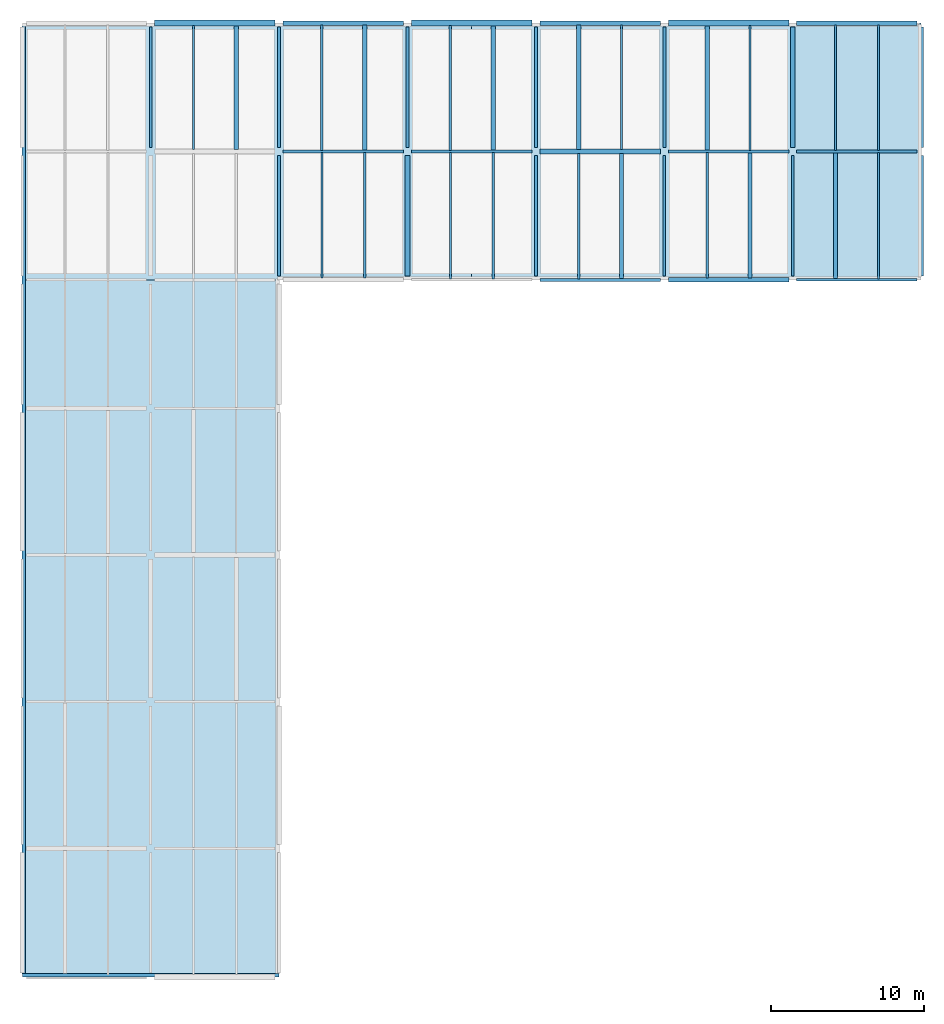
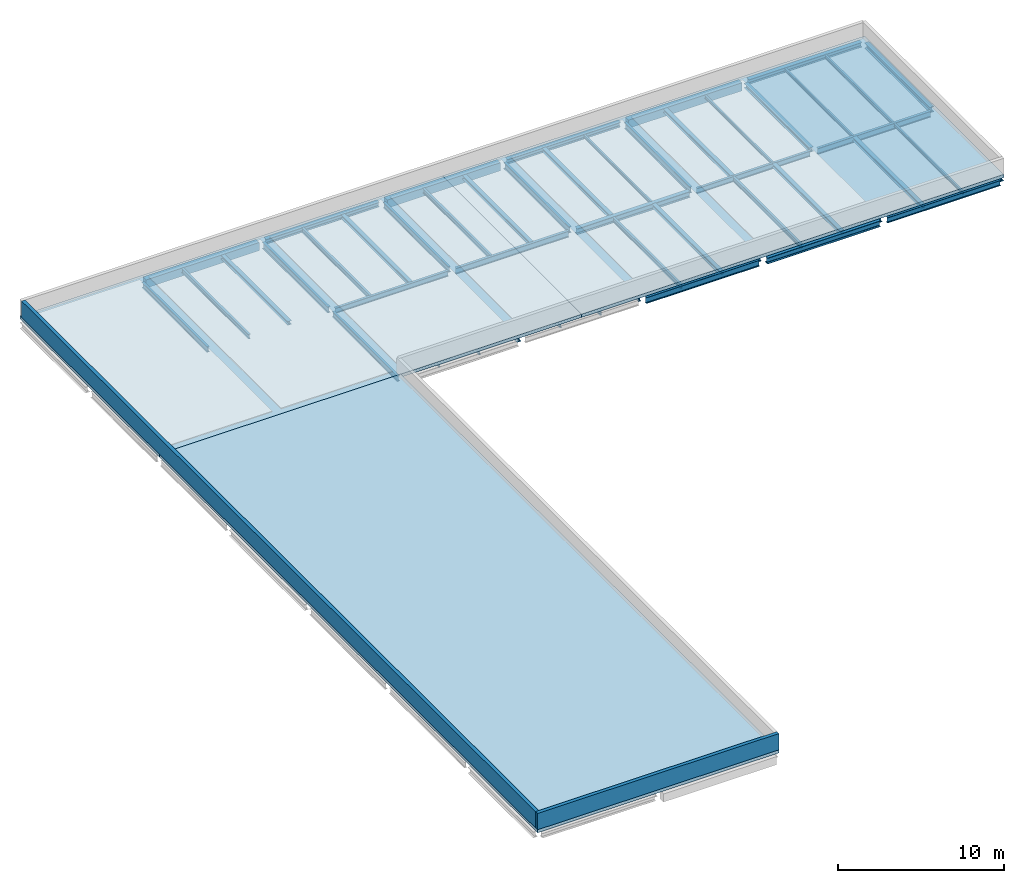
# One storey, part 2 of 3: 49 beams, 3 slabs, 2 walls.
"""IFC4 building model written with IfcOpenShell, lengths in metres."""

from ifc_helpers import new_model, si_unit, direction, frame, frame_2d, origin, origin_2d, place, context, subcontext, project, spatial, polyline, rectangle, i_section, outline, extrude, material, layer, layer_set, material_profile, profile_set, type_object, element, save


model = new_model("IFC4")

# Units and contexts
model_context = context("Model", 3, precision=1e-05, world=origin(), true_north=direction((0.0, 1.0)))
body_context = subcontext(model_context, "Body", "Model", "MODEL_VIEW")
ifc_project = project(units=[si_unit("LENGTHUNIT", "METRE"), si_unit("AREAUNIT", "SQUARE_METRE"), si_unit("VOLUMEUNIT", "CUBIC_METRE"), si_unit("PLANEANGLEUNIT", "RADIAN"), si_unit("MASSUNIT", "GRAM", prefix="KILO")], contexts=[model_context])

# Site, building, storey
site_placement = place(None, origin())
site = spatial("IfcSite", under=ifc_project, at=site_placement, CompositionType="ELEMENT")
building_placement = place(site_placement, origin())
building = spatial("IfcBuilding", under=site, at=building_placement, Name="Zulmaris Art Gallery", CompositionType="ELEMENT")
storey_placement = place(building_placement, frame((0.0, 0.0, 30.89990234375)))
storey = spatial("IfcBuildingStorey", under=building, at=storey_placement, Name="RF", CompositionType="ELEMENT", Elevation=30.89990234375)

# Beams
ifc_material_1 = material(Name="Steel S355J2", Category="steel")
ifc_material_profile_1 = material_profile(ifc_material_1, i_section(OverallWidth=0.179931640625, OverallDepth=0.39990234375, WebThickness=0.008544921875, FlangeThickness=0.013427734375, FilletRadius=0.02099609375, at=origin_2d()), Name="IPE 400")
ifc_profile_set_1 = profile_set([ifc_material_profile_1], Name="Steel S355J2")
beam_type_1 = type_object("IfcBeamType", Name="BEAM-BM03", PredefinedType="BEAM", material=ifc_profile_set_1)
beam_1_placement = place(storey_placement, frame((192.260009765625, 58.800048828125, -0.489990234375), z_axis=(1.0, 0.0, 0.0), x_axis=(0.0, 1.0, 0.0)))
element("IfcBeam", 1, at=beam_1_placement, inside=storey, type_object=beam_type_1, Name="RF X-girder (192.0..200.4, y=58.8)", PredefinedType="BEAM", context=body_context, shape_type="SweptSolid", body=[
    extrude(i_section(OverallWidth=0.179931640625, OverallDepth=0.39990234375, WebThickness=0.008544921875, FlangeThickness=0.013427734375, FilletRadius=0.02099609375, at=origin_2d()), origin(), (0.0, 0.0, 1.0), 7.8798828125),
])
beam_2_placement = place(storey_placement, frame((158.659912109375, 67.199951171875, -0.489990234375), z_axis=(1.0, 0.0, 0.0), x_axis=(0.0, 1.0, 0.0)))
element("IfcBeam", 2, at=beam_2_placement, inside=storey, type_object=beam_type_1, Name="RF X-girder (158.4..166.8, y=67.2)", PredefinedType="BEAM", context=body_context, shape_type="SweptSolid", body=[
    extrude(i_section(OverallWidth=0.179931640625, OverallDepth=0.39990234375, WebThickness=0.008544921875, FlangeThickness=0.013427734375, FilletRadius=0.02099609375, at=origin_2d()), origin(), (0.0, 0.0, 1.0), 7.880126953125),
])
beam_3_placement = place(storey_placement, frame((183.860107421875, 67.199951171875, -0.489990234375), z_axis=(1.0, 0.0, 0.0), x_axis=(0.0, 1.0, 0.0)))
element("IfcBeam", 3, at=beam_3_placement, inside=storey, type_object=beam_type_1, Name="RF X-girder (183.6..192.0, y=67.2)", PredefinedType="BEAM", context=body_context, shape_type="SweptSolid", body=[
    extrude(i_section(OverallWidth=0.179931640625, OverallDepth=0.39990234375, WebThickness=0.008544921875, FlangeThickness=0.013427734375, FilletRadius=0.02099609375, at=origin_2d()), origin(), (0.0, 0.0, 1.0), 7.8798828125),
])
beam_4_placement = place(storey_placement, frame((150.0, 67.4599609375, -0.489990234375), z_axis=(0.0, 1.0, 0.0), x_axis=(-1.0, 0.0, 0.0)))
element("IfcBeam", 4, at=beam_4_placement, inside=storey, type_object=beam_type_1, Name="RF Y-girder (x=150.0, 67.2..75.6)", PredefinedType="BEAM", context=body_context, shape_type="SweptSolid", body=[
    extrude(i_section(OverallWidth=0.179931640625, OverallDepth=0.39990234375, WebThickness=0.008544921875, FlangeThickness=0.013427734375, FilletRadius=0.02099609375, at=origin_2d()), origin(), (0.0, 0.0, 1.0), 7.880126953125),
])
beam_5_placement = place(storey_placement, frame((158.39990234375, 59.06005859375, -0.489990234375), z_axis=(0.0, 1.0, 0.0), x_axis=(-1.0, 0.0, 0.0)))
element("IfcBeam", 5, at=beam_5_placement, inside=storey, type_object=beam_type_1, Name="RF Y-girder (x=158.4, 58.8..67.2)", PredefinedType="BEAM", context=body_context, shape_type="SweptSolid", body=[
    extrude(i_section(OverallWidth=0.179931640625, OverallDepth=0.39990234375, WebThickness=0.008544921875, FlangeThickness=0.013427734375, FilletRadius=0.02099609375, at=origin_2d()), origin(), (0.0, 0.0, 1.0), 7.8798828125),
])
beam_6_placement = place(storey_placement, frame((166.800048828125, 67.4599609375, -0.489990234375), z_axis=(0.0, 1.0, 0.0), x_axis=(-1.0, 0.0, 0.0)))
element("IfcBeam", 6, at=beam_6_placement, inside=storey, type_object=beam_type_1, Name="RF Y-girder (x=166.8, 67.2..75.6)", PredefinedType="BEAM", context=body_context, shape_type="SweptSolid", body=[
    extrude(i_section(OverallWidth=0.179931640625, OverallDepth=0.39990234375, WebThickness=0.008544921875, FlangeThickness=0.013427734375, FilletRadius=0.02099609375, at=origin_2d()), origin(), (0.0, 0.0, 1.0), 7.880126953125),
])
for number, where, z_axis, x_axis, name in (
    (7, (175.199951171875, 59.06005859375, -0.489990234375), (0.0, 1.0, 0.0), (-1.0, 0.0, 0.0), "RF Y-girder (x=175.2, 58.8..67.2)"),
    (8, (183.60009765625, 59.06005859375, -0.489990234375), (0.0, 1.0, 0.0), (-1.0, 0.0, 0.0), "RF Y-girder (x=183.6, 58.8..67.2)"),
):
    element("IfcBeam", number, at=place(storey_placement, frame(where, z_axis=z_axis, x_axis=x_axis)), inside=storey, type_object=beam_type_1, Name=name, PredefinedType="BEAM", context=body_context, shape_type="SweptSolid", body=[
        extrude(i_section(OverallWidth=0.179931640625, OverallDepth=0.39990234375, WebThickness=0.008544921875, FlangeThickness=0.013427734375, FilletRadius=0.02099609375, at=origin_2d()), origin(), (0.0, 0.0, 1.0), 7.8798828125),
    ])
ifc_material_profile_2 = material_profile(ifc_material_1, i_section(OverallWidth=0.18994140625, OverallDepth=0.449951171875, WebThickness=0.009521484375, FlangeThickness=0.0146484375, FilletRadius=0.02099609375, at=origin_2d()), Name="IPE 450")
ifc_profile_set_2 = profile_set([ifc_material_profile_2], Name="Steel S355J2")
beam_type_2 = type_object("IfcBeamType", Name="BEAM-BM04", PredefinedType="BEAM", material=ifc_profile_set_2)
beam_7_placement = place(storey_placement, frame((175.4599609375, 58.800048828125, -0.514892578125), z_axis=(1.0, 0.0, 0.0), x_axis=(0.0, 1.0, 0.0)))
element("IfcBeam", 9, at=beam_7_placement, inside=storey, type_object=beam_type_2, Name="RF X-girder (175.2..183.6, y=58.8)", PredefinedType="BEAM", context=body_context, shape_type="SweptSolid", body=[
    extrude(i_section(OverallWidth=0.18994140625, OverallDepth=0.449951171875, WebThickness=0.009521484375, FlangeThickness=0.0146484375, FilletRadius=0.02099609375, at=origin_2d()), origin(), (0.0, 0.0, 1.0), 7.880126953125),
])
for number, where, z_axis, x_axis, name in (
    (10, (167.06005859375, 67.199951171875, -0.514892578125), (1.0, 0.0, 0.0), (0.0, 1.0, 0.0), "RF X-girder (166.8..175.2, y=67.2)"),
    (11, (192.260009765625, 67.199951171875, -0.514892578125), (1.0, 0.0, 0.0), (0.0, 1.0, 0.0), "RF X-girder (192.0..200.4, y=67.2)"),
):
    element("IfcBeam", number, at=place(storey_placement, frame(where, z_axis=z_axis, x_axis=x_axis)), inside=storey, type_object=beam_type_2, Name=name, PredefinedType="BEAM", context=body_context, shape_type="SweptSolid", body=[
        extrude(i_section(OverallWidth=0.18994140625, OverallDepth=0.449951171875, WebThickness=0.009521484375, FlangeThickness=0.0146484375, FilletRadius=0.02099609375, at=origin_2d()), origin(), (0.0, 0.0, 1.0), 7.8798828125),
    ])
for number, where, z_axis, x_axis, name in (
    (12, (158.39990234375, 67.4599609375, -0.514892578125), (0.0, 1.0, 0.0), (-1.0, 0.0, 0.0), "RF Y-girder (x=158.4, 67.2..75.6)"),
    (13, (175.199951171875, 67.4599609375, -0.514892578125), (0.0, 1.0, 0.0), (-1.0, 0.0, 0.0), "RF Y-girder (x=175.2, 67.2..75.6)"),
    (14, (183.60009765625, 67.4599609375, -0.514892578125), (0.0, 1.0, 0.0), (-1.0, 0.0, 0.0), "RF Y-girder (x=183.6, 67.2..75.6)"),
):
    element("IfcBeam", number, at=place(storey_placement, frame(where, z_axis=z_axis, x_axis=x_axis)), inside=storey, type_object=beam_type_2, Name=name, PredefinedType="BEAM", context=body_context, shape_type="SweptSolid", body=[
        extrude(i_section(OverallWidth=0.18994140625, OverallDepth=0.449951171875, WebThickness=0.009521484375, FlangeThickness=0.0146484375, FilletRadius=0.02099609375, at=origin_2d()), origin(), (0.0, 0.0, 1.0), 7.880126953125),
    ])
beam_8_placement = place(storey_placement, frame((192.0, 59.06005859375, -0.514892578125), z_axis=(0.0, 1.0, 0.0), x_axis=(-1.0, 0.0, 0.0)))
element("IfcBeam", 15, at=beam_8_placement, inside=storey, type_object=beam_type_2, Name="RF Y-girder (x=192.0, 58.8..67.2)", PredefinedType="BEAM", context=body_context, shape_type="SweptSolid", body=[
    extrude(i_section(OverallWidth=0.18994140625, OverallDepth=0.449951171875, WebThickness=0.009521484375, FlangeThickness=0.0146484375, FilletRadius=0.02099609375, at=origin_2d()), origin(), (0.0, 0.0, 1.0), 7.8798828125),
])
ifc_material_profile_3 = material_profile(ifc_material_1, i_section(OverallWidth=0.300048828125, OverallDepth=0.330078125, WebThickness=0.009521484375, FlangeThickness=0.0166015625, FilletRadius=0.027099609375, at=origin_2d()), Name="HEA 340")
ifc_profile_set_3 = profile_set([ifc_material_profile_3], Name="Steel S355J2")
beam_type_3 = type_object("IfcBeamType", Name="BEAM-BM08", PredefinedType="BEAM", material=ifc_profile_set_3)
beam_9_placement = place(storey_placement, frame((192.0, 67.4599609375, -0.489990234375), z_axis=(0.0, 1.0, 0.0), x_axis=(-1.0, 0.0, 0.0)))
element("IfcBeam", 16, at=beam_9_placement, inside=storey, type_object=beam_type_3, Name="RF Y-girder (x=192.0, 67.2..75.6)", PredefinedType="BEAM", context=body_context, shape_type="SweptSolid", body=[
    extrude(i_section(OverallWidth=0.300048828125, OverallDepth=0.330078125, WebThickness=0.009521484375, FlangeThickness=0.0166015625, FilletRadius=0.027099609375, at=origin_2d()), origin(), (0.0, 0.0, 1.0), 7.880126953125),
])
ifc_material_profile_4 = material_profile(ifc_material_1, i_section(OverallWidth=0.300048828125, OverallDepth=0.43994140625, WebThickness=0.011474609375, FlangeThickness=0.02099609375, FilletRadius=0.027099609375, at=origin_2d()), Name="HEA 450")
ifc_profile_set_4 = profile_set([ifc_material_profile_4], Name="Steel S355J2")
beam_type_4 = type_object("IfcBeamType", Name="BEAM-BM10", PredefinedType="BEAM", material=ifc_profile_set_4)
beam_10_placement = place(storey_placement, frame((183.860107421875, 58.800048828125, -0.510009765625), z_axis=(1.0, 0.0, 0.0), x_axis=(0.0, 1.0, 0.0)))
element("IfcBeam", 17, at=beam_10_placement, inside=storey, type_object=beam_type_4, Name="RF X-girder (183.6..192.0, y=58.8)", PredefinedType="BEAM", context=body_context, shape_type="SweptSolid", body=[
    extrude(i_section(OverallWidth=0.300048828125, OverallDepth=0.43994140625, WebThickness=0.011474609375, FlangeThickness=0.02099609375, FilletRadius=0.027099609375, at=origin_2d()), origin(), (0.0, 0.0, 1.0), 7.8798828125),
])
beam_11_placement = place(storey_placement, frame((175.4599609375, 67.199951171875, -0.510009765625), z_axis=(1.0, 0.0, 0.0), x_axis=(0.0, 1.0, 0.0)))
element("IfcBeam", 18, at=beam_11_placement, inside=storey, type_object=beam_type_4, Name="RF X-girder (175.2..183.6, y=67.2)", PredefinedType="BEAM", context=body_context, shape_type="SweptSolid", body=[
    extrude(i_section(OverallWidth=0.300048828125, OverallDepth=0.43994140625, WebThickness=0.011474609375, FlangeThickness=0.02099609375, FilletRadius=0.027099609375, at=origin_2d()), origin(), (0.0, 0.0, 1.0), 7.880126953125),
])
beam_12_placement = place(storey_placement, frame((166.800048828125, 59.06005859375, -0.510009765625), z_axis=(0.0, 1.0, 0.0), x_axis=(-1.0, 0.0, 0.0)))
element("IfcBeam", 19, at=beam_12_placement, inside=storey, type_object=beam_type_4, Name="RF Y-girder (x=166.8, 58.8..67.2)", PredefinedType="BEAM", context=body_context, shape_type="SweptSolid", body=[
    extrude(i_section(OverallWidth=0.300048828125, OverallDepth=0.43994140625, WebThickness=0.011474609375, FlangeThickness=0.02099609375, FilletRadius=0.027099609375, at=origin_2d()), origin(), (0.0, 0.0, 1.0), 7.8798828125),
])
ifc_material_profile_5 = material_profile(ifc_material_1, i_section(OverallWidth=0.1201171875, OverallDepth=0.239990234375, WebThickness=0.006103515625, FlangeThickness=0.009765625, FilletRadius=0.014892578125, at=origin_2d()), Name="IPE 240")
ifc_profile_set_5 = profile_set([ifc_material_profile_5], Name="Steel S355J2")
beam_type_5 = type_object("IfcBeamType", Name="BEAM-JS01", PredefinedType="JOIST", material=ifc_profile_set_5)
beam_13_placement = place(storey_placement, frame((180.800048828125, 67.324951171875, -0.409912109375), z_axis=(0.0, 1.0, 0.0), x_axis=(-1.0, 0.0, 0.0)))
element("IfcBeam", 20, at=beam_13_placement, inside=storey, type_object=beam_type_5, Name="RF secondary joist at x=180.8", PredefinedType="JOIST", context=body_context, shape_type="SweptSolid", body=[
    extrude(i_section(OverallWidth=0.1201171875, OverallDepth=0.239990234375, WebThickness=0.006103515625, FlangeThickness=0.009765625, FilletRadius=0.014892578125, at=origin_2d()), origin(), (0.0, 0.0, 1.0), 8.150146484375),
])
beam_14_placement = place(storey_placement, frame((189.199951171875, 67.264892578125, -0.409912109375), z_axis=(0.0, 1.0, 0.0), x_axis=(-1.0, 0.0, 0.0)))
element("IfcBeam", 21, at=beam_14_placement, inside=storey, type_object=beam_type_5, Name="RF secondary joist at x=189.2", PredefinedType="JOIST", context=body_context, shape_type="SweptSolid", body=[
    extrude(i_section(OverallWidth=0.1201171875, OverallDepth=0.239990234375, WebThickness=0.006103515625, FlangeThickness=0.009765625, FilletRadius=0.014892578125, at=origin_2d()), origin(), (0.0, 0.0, 1.0), 8.16015625),
])
beam_15_placement = place(storey_placement, frame((197.60009765625, 58.864990234375, -0.409912109375), z_axis=(0.0, 1.0, 0.0), x_axis=(-1.0, 0.0, 0.0)))
element("IfcBeam", 22, at=beam_15_placement, inside=storey, type_object=beam_type_5, Name="RF secondary joist at x=197.6", PredefinedType="JOIST", context=body_context, shape_type="SweptSolid", body=[
    extrude(i_section(OverallWidth=0.1201171875, OverallDepth=0.239990234375, WebThickness=0.006103515625, FlangeThickness=0.009765625, FilletRadius=0.014892578125, at=origin_2d()), origin(), (0.0, 0.0, 1.0), 8.264892578125),
])
beam_16_placement = place(storey_placement, frame((194.800048828125, 67.27001953125, -0.409912109375), z_axis=(0.0, 1.0, 0.0), x_axis=(-1.0, 0.0, 0.0)))
element("IfcBeam", 23, at=beam_16_placement, inside=storey, type_object=beam_type_5, Name="RF secondary joist at x=194.8", PredefinedType="JOIST", context=body_context, shape_type="SweptSolid", body=[
    extrude(i_section(OverallWidth=0.1201171875, OverallDepth=0.239990234375, WebThickness=0.006103515625, FlangeThickness=0.009765625, FilletRadius=0.014892578125, at=origin_2d()), origin(), (0.0, 0.0, 1.0), 8.205078125),
])
ifc_material_profile_6 = material_profile(ifc_material_1, i_section(OverallWidth=0.135009765625, OverallDepth=0.27001953125, WebThickness=0.006591796875, FlangeThickness=0.01025390625, FilletRadius=0.014892578125, at=origin_2d()), Name="IPE 270")
ifc_profile_set_6 = profile_set([ifc_material_profile_6], Name="Steel S355J2")
beam_type_6 = type_object("IfcBeamType", Name="BEAM-JS02", PredefinedType="JOIST", material=ifc_profile_set_6)
beam_17_placement = place(storey_placement, frame((161.199951171875, 58.925048828125, -0.4248046875), z_axis=(0.0, 1.0, 0.0), x_axis=(-1.0, 0.0, 0.0)))
element("IfcBeam", 24, at=beam_17_placement, inside=storey, type_object=beam_type_6, Name="RF secondary joist at x=161.2", PredefinedType="JOIST", context=body_context, shape_type="SweptSolid", body=[
    extrude(i_section(OverallWidth=0.135009765625, OverallDepth=0.27001953125, WebThickness=0.006591796875, FlangeThickness=0.01025390625, FilletRadius=0.014892578125, at=origin_2d()), origin(), (0.0, 0.0, 1.0), 8.2099609375),
])
beam_18_placement = place(storey_placement, frame((169.60009765625, 58.864990234375, -0.4248046875), z_axis=(0.0, 1.0, 0.0), x_axis=(-1.0, 0.0, 0.0)))
element("IfcBeam", 25, at=beam_18_placement, inside=storey, type_object=beam_type_6, Name="RF secondary joist at x=169.6", PredefinedType="JOIST", context=body_context, shape_type="SweptSolid", body=[
    extrude(i_section(OverallWidth=0.135009765625, OverallDepth=0.27001953125, WebThickness=0.006591796875, FlangeThickness=0.01025390625, FilletRadius=0.014892578125, at=origin_2d()), origin(), (0.0, 0.0, 1.0), 8.264892578125),
])
beam_19_placement = place(storey_placement, frame((197.60009765625, 67.27001953125, -0.4248046875), z_axis=(0.0, 1.0, 0.0), x_axis=(-1.0, 0.0, 0.0)))
element("IfcBeam", 26, at=beam_19_placement, inside=storey, type_object=beam_type_6, Name="RF secondary joist at x=197.6", PredefinedType="JOIST", context=body_context, shape_type="SweptSolid", body=[
    extrude(i_section(OverallWidth=0.135009765625, OverallDepth=0.27001953125, WebThickness=0.006591796875, FlangeThickness=0.01025390625, FilletRadius=0.014892578125, at=origin_2d()), origin(), (0.0, 0.0, 1.0), 8.205078125),
])
ifc_material_profile_7 = material_profile(ifc_material_1, i_section(OverallWidth=0.159912109375, OverallDepth=0.330078125, WebThickness=0.007568359375, FlangeThickness=0.011474609375, FilletRadius=0.01806640625, at=origin_2d()), Name="IPE 330")
ifc_profile_set_7 = profile_set([ifc_material_profile_7], Name="Steel S355J2")
beam_type_7 = type_object("IfcBeamType", Name="BEAM-JS03", PredefinedType="JOIST", material=ifc_profile_set_7)
beam_20_placement = place(storey_placement, frame((152.800048828125, 67.324951171875, -0.454833984375), z_axis=(0.0, 1.0, 0.0), x_axis=(-1.0, 0.0, 0.0)))
element("IfcBeam", 27, at=beam_20_placement, inside=storey, type_object=beam_type_7, Name="RF secondary joist at x=152.8", PredefinedType="JOIST", context=body_context, shape_type="SweptSolid", body=[
    extrude(i_section(OverallWidth=0.159912109375, OverallDepth=0.330078125, WebThickness=0.007568359375, FlangeThickness=0.011474609375, FilletRadius=0.01806640625, at=origin_2d()), origin(), (0.0, 0.0, 1.0), 8.10009765625),
])
beam_21_placement = place(storey_placement, frame((164.0, 58.925048828125, -0.454833984375), z_axis=(0.0, 1.0, 0.0), x_axis=(-1.0, 0.0, 0.0)))
element("IfcBeam", 28, at=beam_21_placement, inside=storey, type_object=beam_type_7, Name="RF secondary joist at x=164.0", PredefinedType="JOIST", context=body_context, shape_type="SweptSolid", body=[
    extrude(i_section(OverallWidth=0.159912109375, OverallDepth=0.330078125, WebThickness=0.007568359375, FlangeThickness=0.011474609375, FilletRadius=0.01806640625, at=origin_2d()), origin(), (0.0, 0.0, 1.0), 8.2099609375),
])
beam_22_placement = place(storey_placement, frame((161.199951171875, 67.264892578125, -0.454833984375), z_axis=(0.0, 1.0, 0.0), x_axis=(-1.0, 0.0, 0.0)))
element("IfcBeam", 29, at=beam_22_placement, inside=storey, type_object=beam_type_7, Name="RF secondary joist at x=161.2", PredefinedType="JOIST", context=body_context, shape_type="SweptSolid", body=[
    extrude(i_section(OverallWidth=0.159912109375, OverallDepth=0.330078125, WebThickness=0.007568359375, FlangeThickness=0.011474609375, FilletRadius=0.01806640625, at=origin_2d()), origin(), (0.0, 0.0, 1.0), 8.210205078125),
])
beam_23_placement = place(storey_placement, frame((172.39990234375, 58.864990234375, -0.454833984375), z_axis=(0.0, 1.0, 0.0), x_axis=(-1.0, 0.0, 0.0)))
element("IfcBeam", 30, at=beam_23_placement, inside=storey, type_object=beam_type_7, Name="RF secondary joist at x=172.4", PredefinedType="JOIST", context=body_context, shape_type="SweptSolid", body=[
    extrude(i_section(OverallWidth=0.159912109375, OverallDepth=0.330078125, WebThickness=0.007568359375, FlangeThickness=0.011474609375, FilletRadius=0.01806640625, at=origin_2d()), origin(), (0.0, 0.0, 1.0), 8.264892578125),
])
beam_24_placement = place(storey_placement, frame((169.60009765625, 67.27001953125, -0.454833984375), z_axis=(0.0, 1.0, 0.0), x_axis=(-1.0, 0.0, 0.0)))
element("IfcBeam", 31, at=beam_24_placement, inside=storey, type_object=beam_type_7, Name="RF secondary joist at x=169.6", PredefinedType="JOIST", context=body_context, shape_type="SweptSolid", body=[
    extrude(i_section(OverallWidth=0.159912109375, OverallDepth=0.330078125, WebThickness=0.007568359375, FlangeThickness=0.011474609375, FilletRadius=0.01806640625, at=origin_2d()), origin(), (0.0, 0.0, 1.0), 8.155029296875),
])
beam_25_placement = place(storey_placement, frame((178.0, 58.8701171875, -0.454833984375), z_axis=(0.0, 1.0, 0.0), x_axis=(-1.0, 0.0, 0.0)))
element("IfcBeam", 32, at=beam_25_placement, inside=storey, type_object=beam_type_7, Name="RF secondary joist at x=178.0", PredefinedType="JOIST", context=body_context, shape_type="SweptSolid", body=[
    extrude(i_section(OverallWidth=0.159912109375, OverallDepth=0.330078125, WebThickness=0.007568359375, FlangeThickness=0.011474609375, FilletRadius=0.01806640625, at=origin_2d()), origin(), (0.0, 0.0, 1.0), 8.204833984375),
])
beam_26_placement = place(storey_placement, frame((186.39990234375, 58.925048828125, -0.454833984375), z_axis=(0.0, 1.0, 0.0), x_axis=(-1.0, 0.0, 0.0)))
element("IfcBeam", 33, at=beam_26_placement, inside=storey, type_object=beam_type_7, Name="RF secondary joist at x=186.4", PredefinedType="JOIST", context=body_context, shape_type="SweptSolid", body=[
    extrude(i_section(OverallWidth=0.159912109375, OverallDepth=0.330078125, WebThickness=0.007568359375, FlangeThickness=0.011474609375, FilletRadius=0.01806640625, at=origin_2d()), origin(), (0.0, 0.0, 1.0), 8.2099609375),
])
ifc_material_profile_8 = material_profile(ifc_material_1, i_section(OverallWidth=0.280029296875, OverallDepth=0.27001953125, WebThickness=0.008056640625, FlangeThickness=0.012939453125, FilletRadius=0.02392578125, at=origin_2d()), Name="HEA 280")
ifc_profile_set_8 = profile_set([ifc_material_profile_8], Name="Steel S355J2")
beam_type_8 = type_object("IfcBeamType", Name="BEAM-JS04", PredefinedType="JOIST", material=ifc_profile_set_8)
beam_27_placement = place(storey_placement, frame((155.60009765625, 67.324951171875, -0.4248046875), z_axis=(0.0, 1.0, 0.0), x_axis=(-1.0, 0.0, 0.0)))
element("IfcBeam", 34, at=beam_27_placement, inside=storey, type_object=beam_type_8, Name="RF secondary joist at x=155.6", PredefinedType="JOIST", context=body_context, shape_type="SweptSolid", body=[
    extrude(i_section(OverallWidth=0.280029296875, OverallDepth=0.27001953125, WebThickness=0.008056640625, FlangeThickness=0.012939453125, FilletRadius=0.02392578125, at=origin_2d()), origin(), (0.0, 0.0, 1.0), 8.10009765625),
])
beam_28_placement = place(storey_placement, frame((164.0, 67.264892578125, -0.4248046875), z_axis=(0.0, 1.0, 0.0), x_axis=(-1.0, 0.0, 0.0)))
element("IfcBeam", 35, at=beam_28_placement, inside=storey, type_object=beam_type_8, Name="RF secondary joist at x=164.0", PredefinedType="JOIST", context=body_context, shape_type="SweptSolid", body=[
    extrude(i_section(OverallWidth=0.280029296875, OverallDepth=0.27001953125, WebThickness=0.008056640625, FlangeThickness=0.012939453125, FilletRadius=0.02392578125, at=origin_2d()), origin(), (0.0, 0.0, 1.0), 8.210205078125),
])
beam_29_placement = place(storey_placement, frame((172.39990234375, 67.27001953125, -0.4248046875), z_axis=(0.0, 1.0, 0.0), x_axis=(-1.0, 0.0, 0.0)))
element("IfcBeam", 36, at=beam_29_placement, inside=storey, type_object=beam_type_8, Name="RF secondary joist at x=172.4", PredefinedType="JOIST", context=body_context, shape_type="SweptSolid", body=[
    extrude(i_section(OverallWidth=0.280029296875, OverallDepth=0.27001953125, WebThickness=0.008056640625, FlangeThickness=0.012939453125, FilletRadius=0.02392578125, at=origin_2d()), origin(), (0.0, 0.0, 1.0), 8.155029296875),
])
beam_30_placement = place(storey_placement, frame((180.800048828125, 58.8701171875, -0.4248046875), z_axis=(0.0, 1.0, 0.0), x_axis=(-1.0, 0.0, 0.0)))
element("IfcBeam", 37, at=beam_30_placement, inside=storey, type_object=beam_type_8, Name="RF secondary joist at x=180.8", PredefinedType="JOIST", context=body_context, shape_type="SweptSolid", body=[
    extrude(i_section(OverallWidth=0.280029296875, OverallDepth=0.27001953125, WebThickness=0.008056640625, FlangeThickness=0.012939453125, FilletRadius=0.02392578125, at=origin_2d()), origin(), (0.0, 0.0, 1.0), 8.204833984375),
])
beam_31_placement = place(storey_placement, frame((178.0, 67.324951171875, -0.4248046875), z_axis=(0.0, 1.0, 0.0), x_axis=(-1.0, 0.0, 0.0)))
element("IfcBeam", 38, at=beam_31_placement, inside=storey, type_object=beam_type_8, Name="RF secondary joist at x=178.0", PredefinedType="JOIST", context=body_context, shape_type="SweptSolid", body=[
    extrude(i_section(OverallWidth=0.280029296875, OverallDepth=0.27001953125, WebThickness=0.008056640625, FlangeThickness=0.012939453125, FilletRadius=0.02392578125, at=origin_2d()), origin(), (0.0, 0.0, 1.0), 8.150146484375),
])
beam_32_placement = place(storey_placement, frame((189.199951171875, 58.925048828125, -0.4248046875), z_axis=(0.0, 1.0, 0.0), x_axis=(-1.0, 0.0, 0.0)))
element("IfcBeam", 39, at=beam_32_placement, inside=storey, type_object=beam_type_8, Name="RF secondary joist at x=189.2", PredefinedType="JOIST", context=body_context, shape_type="SweptSolid", body=[
    extrude(i_section(OverallWidth=0.280029296875, OverallDepth=0.27001953125, WebThickness=0.008056640625, FlangeThickness=0.012939453125, FilletRadius=0.02392578125, at=origin_2d()), origin(), (0.0, 0.0, 1.0), 8.2099609375),
])
beam_33_placement = place(storey_placement, frame((186.39990234375, 67.264892578125, -0.4248046875), z_axis=(0.0, 1.0, 0.0), x_axis=(-1.0, 0.0, 0.0)))
element("IfcBeam", 40, at=beam_33_placement, inside=storey, type_object=beam_type_8, Name="RF secondary joist at x=186.4", PredefinedType="JOIST", context=body_context, shape_type="SweptSolid", body=[
    extrude(i_section(OverallWidth=0.280029296875, OverallDepth=0.27001953125, WebThickness=0.008056640625, FlangeThickness=0.012939453125, FilletRadius=0.02392578125, at=origin_2d()), origin(), (0.0, 0.0, 1.0), 8.16015625),
])
beam_34_placement = place(storey_placement, frame((194.800048828125, 58.864990234375, -0.4248046875), z_axis=(0.0, 1.0, 0.0), x_axis=(-1.0, 0.0, 0.0)))
element("IfcBeam", 41, at=beam_34_placement, inside=storey, type_object=beam_type_8, Name="RF secondary joist at x=194.8", PredefinedType="JOIST", context=body_context, shape_type="SweptSolid", body=[
    extrude(i_section(OverallWidth=0.280029296875, OverallDepth=0.27001953125, WebThickness=0.008056640625, FlangeThickness=0.012939453125, FilletRadius=0.02392578125, at=origin_2d()), origin(), (0.0, 0.0, 1.0), 8.264892578125),
])
ifc_material_profile_9 = material_profile(ifc_material_1, i_section(OverallWidth=0.300048828125, OverallDepth=0.35009765625, WebThickness=0.010009765625, FlangeThickness=0.017578125, FilletRadius=0.027099609375, at=origin_2d()), Name="HEA 360")
ifc_profile_set_9 = profile_set([ifc_material_profile_9], Name="Steel S355J2")
beam_type_9 = type_object("IfcBeamType", Name="BEAM-SP01", PredefinedType="SPANDREL", material=ifc_profile_set_9)
for number, where, z_axis, x_axis, name in (
    (42, (158.659912109375, 75.60009765625, -0.46484375), (1.0, 0.0, 0.0), (0.0, 1.0, 0.0), "RF X-girder (158.4..166.8, y=75.6)"),
    (43, (175.4599609375, 75.60009765625, -0.46484375), (1.0, 0.0, 0.0), (0.0, 1.0, 0.0), "RF X-girder (175.2..183.6, y=75.6)"),
):
    element("IfcBeam", number, at=place(storey_placement, frame(where, z_axis=z_axis, x_axis=x_axis)), inside=storey, type_object=beam_type_9, Name=name, PredefinedType="SPANDREL", context=body_context, shape_type="SweptSolid", body=[
        extrude(i_section(OverallWidth=0.300048828125, OverallDepth=0.35009765625, WebThickness=0.010009765625, FlangeThickness=0.017578125, FilletRadius=0.027099609375, at=origin_2d()), origin(), (0.0, 0.0, 1.0), 7.880126953125),
    ])
beam_35_placement = place(storey_placement, frame((192.260009765625, 75.60009765625, -0.46484375), z_axis=(1.0, 0.0, 0.0), x_axis=(0.0, 1.0, 0.0)))
element("IfcBeam", 44, at=beam_35_placement, inside=storey, type_object=beam_type_9, Name="RF X-girder (192.0..200.4, y=75.6)", PredefinedType="SPANDREL", context=body_context, shape_type="SweptSolid", body=[
    extrude(i_section(OverallWidth=0.300048828125, OverallDepth=0.35009765625, WebThickness=0.010009765625, FlangeThickness=0.017578125, FilletRadius=0.027099609375, at=origin_2d()), origin(), (0.0, 0.0, 1.0), 7.8798828125),
])
ifc_material_profile_10 = material_profile(ifc_material_1, i_section(OverallWidth=0.300048828125, OverallDepth=0.39990234375, WebThickness=0.013427734375, FlangeThickness=0.02392578125, FilletRadius=0.027099609375, at=origin_2d()), Name="HEB 400")
ifc_profile_set_10 = profile_set([ifc_material_profile_10], Name="Steel S355J2")
beam_type_10 = type_object("IfcBeamType", Name="BEAM-SP02", PredefinedType="SPANDREL", material=ifc_profile_set_10)
beam_36_placement = place(storey_placement, frame((200.39990234375, 59.06005859375, -0.489990234375), z_axis=(0.0, 1.0, 0.0), x_axis=(-1.0, 0.0, 0.0)))
element("IfcBeam", 45, at=beam_36_placement, inside=storey, type_object=beam_type_10, Name="RF Y-girder (x=200.4, 58.8..67.2)", PredefinedType="SPANDREL", context=body_context, shape_type="SweptSolid", body=[
    extrude(i_section(OverallWidth=0.300048828125, OverallDepth=0.39990234375, WebThickness=0.013427734375, FlangeThickness=0.02392578125, FilletRadius=0.027099609375, at=origin_2d()), origin(), (0.0, 0.0, 1.0), 7.8798828125),
])
beam_37_placement = place(storey_placement, frame((200.39990234375, 67.4599609375, -0.489990234375), z_axis=(0.0, 1.0, 0.0), x_axis=(-1.0, 0.0, 0.0)))
element("IfcBeam", 46, at=beam_37_placement, inside=storey, type_object=beam_type_10, Name="RF Y-girder (x=200.4, 67.2..75.6)", PredefinedType="SPANDREL", context=body_context, shape_type="SweptSolid", body=[
    extrude(i_section(OverallWidth=0.300048828125, OverallDepth=0.39990234375, WebThickness=0.013427734375, FlangeThickness=0.02392578125, FilletRadius=0.027099609375, at=origin_2d()), origin(), (0.0, 0.0, 1.0), 7.880126953125),
])
ifc_material_2 = material(Name="Concrete C40/50", Category="concrete")
ifc_material_profile_11 = material_profile(ifc_material_2, rectangle(XDim=0.39990234375, YDim=0.60009765625, at=origin_2d()), Name="RC 400x600")
ifc_profile_set_11 = profile_set([ifc_material_profile_11], Name="Concrete C40/50")
beam_type_11 = type_object("IfcBeamType", Name="BEAM-SP03", PredefinedType="SPANDREL", material=ifc_profile_set_11)
for number, where, z_axis, x_axis, name in (
    (47, (150.260009765625, 75.60009765625, -0.58984375), (1.0, 0.0, 0.0), (0.0, 1.0, 0.0), "RF X-girder (150.0..158.4, y=75.6)"),
    (48, (167.06005859375, 75.60009765625, -0.58984375), (1.0, 0.0, 0.0), (0.0, 1.0, 0.0), "RF X-girder (166.8..175.2, y=75.6)"),
    (49, (183.860107421875, 75.60009765625, -0.58984375), (1.0, 0.0, 0.0), (0.0, 1.0, 0.0), "RF X-girder (183.6..192.0, y=75.6)"),
):
    element("IfcBeam", number, at=place(storey_placement, frame(where, z_axis=z_axis, x_axis=x_axis)), inside=storey, type_object=beam_type_11, Name=name, PredefinedType="SPANDREL", context=body_context, shape_type="SweptSolid", body=[
        extrude(rectangle(XDim=0.39990234375, YDim=0.60009765625, at=origin_2d()), origin(), (0.0, 0.0, 1.0), 7.8798828125),
    ])

# Slabs
ifc_layer_1 = layer(ifc_material_2, 0.239990234375)
ifc_layer_set_1 = layer_set([ifc_layer_1], Name="Concrete C40/50")
slab_type = type_object("IfcSlabType", Name="SLAB-SL-RF01", PredefinedType="ROOF", material=ifc_layer_set_1)
slab_1_placement = place(storey_placement, frame((0.0, 0.0, -0.239990234375)))
element("IfcSlab", 50, at=slab_1_placement, inside=storey, type_object=slab_type, Name="RF V5-ROOF-SW slab", PredefinedType="ROOF", context=body_context, shape_type="SweptSolid", body=[
    extrude(outline(polyline([(141.60009765625, 58.800048828125), (158.39990234375, 58.800048828125), (158.39990234375, 31.199951171875), (158.39990234375, 13.199951171875), (141.60009765625, 13.199951171875), (141.60009765625, 58.800048828125)])), origin(), (0.0, 0.0, 1.0), 0.239990234375),
])
slab_2_placement = place(storey_placement, frame((0.0, 0.0, -0.239990234375)))
element("IfcSlab", 51, at=slab_2_placement, inside=storey, type_object=slab_type, Name="RF V5-ROOF-NW slab", PredefinedType="ROOF", context=body_context, shape_type="SweptSolid", body=[
    extrude(outline(polyline([(141.60009765625, 75.60009765625), (171.0, 75.60009765625), (171.0, 58.800048828125), (158.39990234375, 58.800048828125), (141.60009765625, 58.800048828125), (141.60009765625, 75.60009765625)])), origin(), (0.0, 0.0, 1.0), 0.239990234375),
])
slab_3_placement = place(storey_placement, frame((0.0, 0.0, -0.239990234375)))
element("IfcSlab", 52, at=slab_3_placement, inside=storey, type_object=slab_type, Name="RF V5-ROOF-NE slab", PredefinedType="ROOF", context=body_context, shape_type="SweptSolid", body=[
    extrude(outline(polyline([(200.39990234375, 75.60009765625), (200.39990234375, 58.800048828125), (183.60009765625, 58.800048828125), (171.0, 58.800048828125), (171.0, 75.60009765625), (200.39990234375, 75.60009765625)])), origin(), (0.0, 0.0, 1.0), 0.239990234375),
])

# Walls
ifc_material_3 = material(Name="Fluted Cast Stone Parapet", Category="masonry")
ifc_layer_2 = layer(ifc_material_3, 0.239990234375)
ifc_layer_set_2 = layer_set([ifc_layer_2], Name="Fluted Cast Stone Parapet")
wall_type = type_object("IfcWallType", Name="ENV-WALL-PR02", PredefinedType="PARAPET", material=ifc_layer_set_2)
wall_1_placement = place(storey_placement, frame((141.60009765625, 13.300048828125, 0.0), z_axis=(0.0, 0.0, 1.0), x_axis=(1.0, 0.0, 0.0)))
element("IfcWall", 53, at=wall_1_placement, inside=storey, type_object=wall_type, Name="RF Limestone Roof Parapet 8", PredefinedType="PARAPET", context=body_context, shape_type="SweptSolid", body=[
    extrude(rectangle(XDim=16.7998046875, YDim=0.239990234375, at=frame_2d((8.39990234375, 0.0))), origin(), (0.0, 0.0, 1.0), 1.2001953125),
])
wall_2_placement = place(storey_placement, frame((141.699951171875, 13.39990234375, 0.0), z_axis=(0.0, 0.0, 1.0), x_axis=(0.0, 1.0, 0.0)))
element("IfcWall", 54, at=wall_2_placement, inside=storey, type_object=wall_type, Name="RF Limestone Roof Parapet 13", PredefinedType="PARAPET", context=body_context, shape_type="SweptSolid", body=[
    extrude(rectangle(XDim=62.0, YDim=0.239990234375, at=frame_2d((31.0, 0.0))), origin(), (0.0, 0.0, 1.0), 1.2001953125),
])

save(model, "model.ifc")
